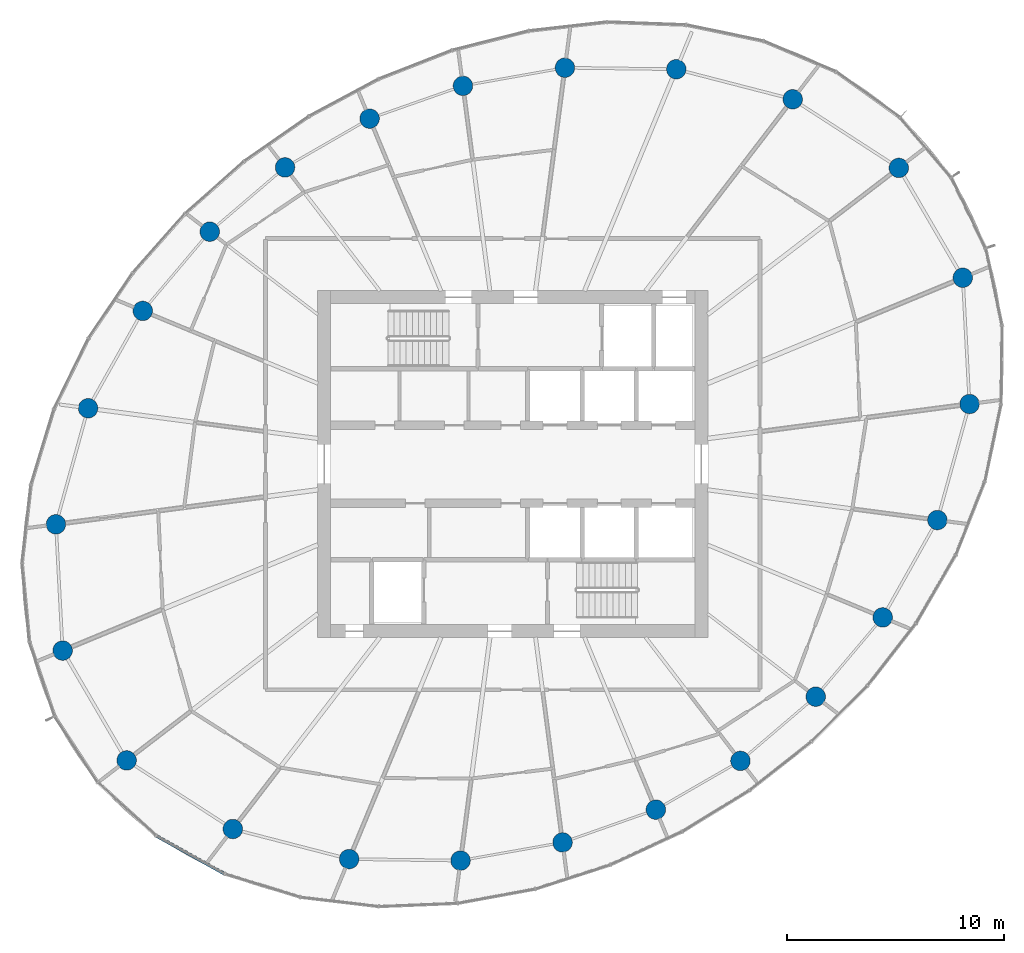
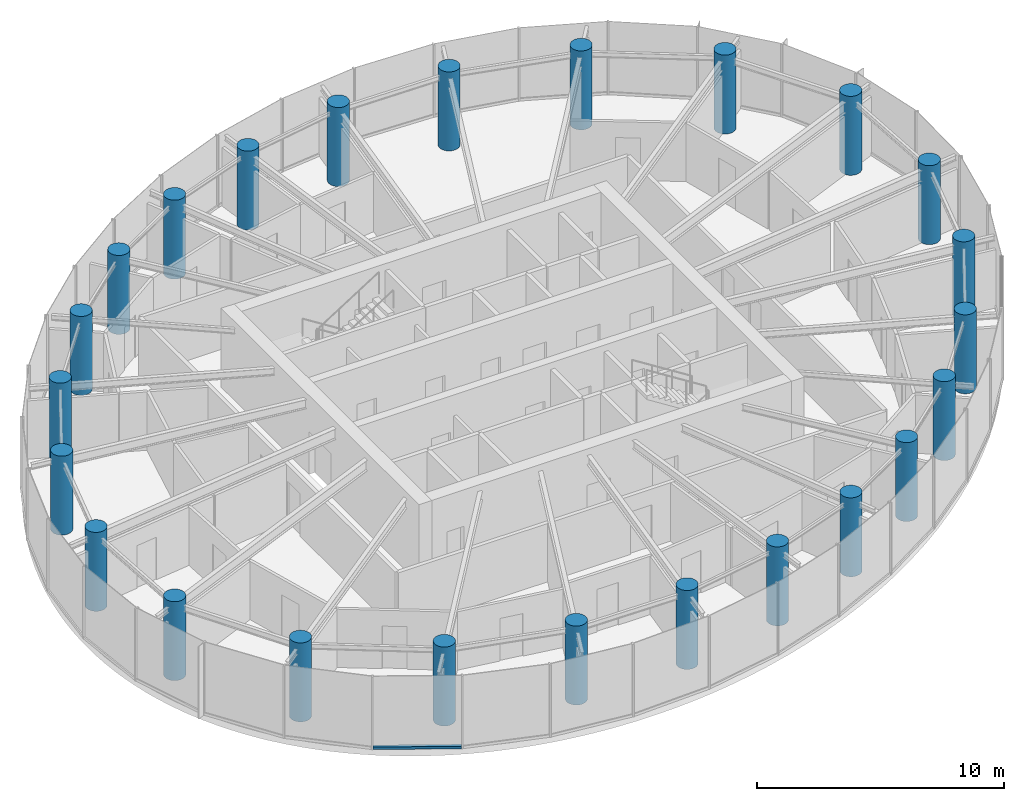
# One storey, part 1 of 15: 24 columns, 1 member, 1 element without a shape of its own.
"""IFC4 building model written with IfcOpenShell, lengths in metres."""

from ifc_helpers import new_model, si_unit, direction, frame, origin, origin_2d, place, context, subcontext, project, spatial, rectangle, circle, extrude, source, transform, mapped, material, layer, layer_set, material_profile, profile_set, type_object, element, aggregate, save


model = new_model("IFC4")

# Units and contexts
model_context = context("Model", 3, precision=1e-05, world=origin(), true_north=direction((0.0, 1.0)))
body_context = subcontext(model_context, "Body", "Model", "MODEL_VIEW")
ifc_project = project(units=[si_unit("LENGTHUNIT", "METRE"), si_unit("AREAUNIT", "SQUARE_METRE"), si_unit("VOLUMEUNIT", "CUBIC_METRE"), si_unit("PLANEANGLEUNIT", "RADIAN"), si_unit("MASSUNIT", "GRAM", prefix="KILO")], contexts=[model_context])

# Site, building, storey
site_placement = place(None, origin())
site = spatial("IfcSite", under=ifc_project, at=site_placement, CompositionType="ELEMENT")
building_placement = place(site_placement, origin())
building = spatial("IfcBuilding", under=site, at=building_placement, Name="Spindrift Exchange Tower", CompositionType="ELEMENT")
storey_placement = place(building_placement, frame((0.0, 0.0, 191.60009765625)))
storey = spatial("IfcBuildingStorey", under=building, at=storey_placement, Name="L46", CompositionType="ELEMENT", Elevation=191.60009765625)

# Columns
ifc_material_1 = material(Name="Concrete 50 MPa", Category="concrete")
ifc_material_profile_1 = material_profile(ifc_material_1, circle(Radius=0.449951171875, at=origin_2d()), Name="RC D900")
ifc_profile_set_1 = profile_set([ifc_material_profile_1], Name="Concrete 50 MPa")
column_type = type_object("IfcColumnType", Name="RC Perimeter Column D900 Concrete 50 MPa", PredefinedType="COLUMN", material=ifc_profile_set_1)
shared_shape_1 = source(origin(), body_context, "Body", "SweptSolid", [
    extrude(circle(Radius=0.449951171875, at=origin_2d()), origin(), (0.0, 0.0, 1.0), 3.89990234375),
])
for number, where, z_axis, x_axis, name in (
    (1, (73.062255859375, 50.77294921875, 0.0), (0.0, 0.0, 1.0), (1.0, 0.0, 0.0), "Perimeter column P4-01 L46"),
    (2, (72.753173828125, 56.59619140625, 0.0), (0.0, 0.0, 1.0), (1.0, 0.0, 0.0), "Perimeter column P4-02 L46"),
    (3, (69.802001953125, 61.659912109375, 0.0), (0.0, 0.0, 1.0), (1.0, 0.0, 0.0), "Perimeter column P4-03 L46"),
    (4, (64.90869140625, 64.822998046875, 0.0), (0.0, 0.0, 1.0), (1.0, 0.0, 0.0), "Perimeter column P4-04 L46"),
    (5, (59.542724609375, 66.209716796875, 0.0), (0.0, 0.0, 1.0), (1.0, 0.0, 0.0), "Perimeter column P4-05 L46"),
    (6, (54.406494140625, 66.2783203125, 0.0), (0.0, 0.0, 1.0), (1.0, 0.0, 0.0), "Perimeter column P4-06 L46"),
    (7, (49.70361328125, 65.4423828125, 0.0), (0.0, 0.0, 1.0), (1.0, 0.0, 0.0), "Perimeter column P4-07 L46"),
    (8, (45.40087890625, 63.931396484375, 0.0), (0.0, 0.0, 1.0), (1.0, 0.0, 0.0), "Perimeter column P4-08 L46"),
    (9, (41.500732421875, 61.68310546875, 0.0), (0.0, 0.0, 1.0), (1.0, 0.0, 0.0), "Perimeter column P4-09 L46"),
    (10, (38.029052734375, 58.72021484375, 0.0), (0.0, 0.0, 1.0), (1.0, 0.0, 0.0), "Perimeter column P4-10 L46"),
    (11, (34.940673828125, 55.066162109375, 0.0), (0.0, 0.0, 1.0), (1.0, 0.0, 0.0), "Perimeter column P4-11 L46"),
    (12, (32.4189453125, 50.577880859375, 0.0), (0.0, 0.0, 1.0), (1.0, 0.0, 0.0), "Perimeter column P4-12 L46"),
    (13, (30.937744140625, 45.22705078125, 0.0), (0.0, 0.0, 1.0), (1.0, 0.0, 0.0), "Perimeter column P4-13 L46"),
    (14, (31.246826171875, 39.40380859375, 0.0), (0.0, 0.0, 1.0), (1.0, 0.0, 0.0), "Perimeter column P4-14 L46"),
    (15, (34.197998046875, 34.340087890625, 0.0), (0.0, 0.0, 1.0), (1.0, 0.0, 0.0), "Perimeter column P4-15 L46"),
    (16, (39.09130859375, 31.177001953125, 0.0), (0.0, 0.0, 1.0), (1.0, 0.0, 0.0), "Perimeter column P4-16 L46"),
    (17, (44.457275390625, 29.790283203125, 0.0), (0.0, 0.0, 1.0), (1.0, 0.0, 0.0), "Perimeter column P4-17 L46"),
    (18, (49.593505859375, 29.7216796875, 0.0), (0.0, 0.0, 1.0), (1.0, 0.0, 0.0), "Perimeter column P4-18 L46"),
    (19, (54.29638671875, 30.5576171875, 0.0), (0.0, 0.0, 1.0), (1.0, 0.0, 0.0), "Perimeter column P4-19 L46"),
    (20, (58.59912109375, 32.068603515625, 0.0), (0.0, 0.0, 1.0), (1.0, 0.0, 0.0), "Perimeter column P4-20 L46"),
    (21, (62.499267578125, 34.31689453125, 0.0), (0.0, 0.0, 1.0), (1.0, 0.0, 0.0), "Perimeter column P4-21 L46"),
    (22, (65.970947265625, 37.27978515625, 0.0), (0.0, 0.0, 1.0), (1.0, 0.0, 0.0), "Perimeter column P4-22 L46"),
    (23, (69.059326171875, 40.933837890625, 0.0), (0.0, 0.0, 1.0), (1.0, 0.0, 0.0), "Perimeter column P4-23 L46"),
    (24, (71.5810546875, 45.422119140625, 0.0), (0.0, 0.0, 1.0), (1.0, 0.0, 0.0), "Perimeter column P4-24 L46"),
):
    element("IfcColumn", number, at=place(storey_placement, frame(where, z_axis=z_axis, x_axis=x_axis)), inside=storey, type_object=column_type, Name=name, PredefinedType="COLUMN", context=body_context, shape_type="MappedRepresentation", body=[
        mapped(shared_shape_1, transform((0.0, 0.0, 0.0), scale=1.0)),
    ])

# Curtain wall, member
ifc_material_2 = material(Name="Fritted laminated glass with bronze frame", Category="glass")
ifc_layer = layer(ifc_material_2, 0.169921875)
ifc_layer_set = layer_set([ifc_layer], Name="ZONE 4 BRONZE FRITTED WALL")
curtain_wall_type = type_object("IfcCurtainWallType", Name="ZONE 4 BRONZE FRITTED WALL", PredefinedType="NOTDEFINED", material=ifc_layer_set)
curtain_wall_placement = place(storey_placement, origin())
curtain_wall = element("IfcCurtainWall", 25, at=curtain_wall_placement, inside=storey, type_object=curtain_wall_type, Name="L46 Zone 4 Bronze Fritted Wall run 4", PredefinedType="NOTDEFINED")
ifc_material_3 = material(Name="Bronze anodised aluminium", Category="aluminium")
ifc_material_profile_2 = material_profile(ifc_material_3, rectangle(XDim=0.14990234375, YDim=0.125, at=origin_2d()), Name="ZONE 4 BRONZE FRITTED WALL TRANSOM 150X125")
ifc_profile_set_2 = profile_set([ifc_material_profile_2], Name="Bronze anodised aluminium")
member_type = type_object("IfcMemberType", Name="ZONE 4 BRONZE FRITTED WALL TRANSOM 150X125", PredefinedType="USERDEFINED", material=ifc_profile_set_2)
shared_shape_2 = source(origin(), body_context, "Body", "SweptSolid", [
    extrude(rectangle(XDim=0.14990234375, YDim=0.125, at=origin_2d()), origin(), (0.0, 0.0, 1.0), 3.572509765625),
])
member_placement = place(storey_placement, frame((35.578125, 30.85400390625, 0.0625), z_axis=(0.874131486371, -0.485689349827, 0.0), x_axis=(0.485689349827, 0.874131486371, 0.0)))
member = element("IfcMember", 26, at=member_placement, type_object=member_type, Name="L46 transom CW-4.21", ObjectType="TRANSOM", PredefinedType="USERDEFINED", context=body_context, shape_type="MappedRepresentation", body=[
    mapped(shared_shape_2, transform((0.0, 0.0, 0.0), scale=1.0)),
])
aggregate(curtain_wall, [member])

save(model, "model.ifc")
